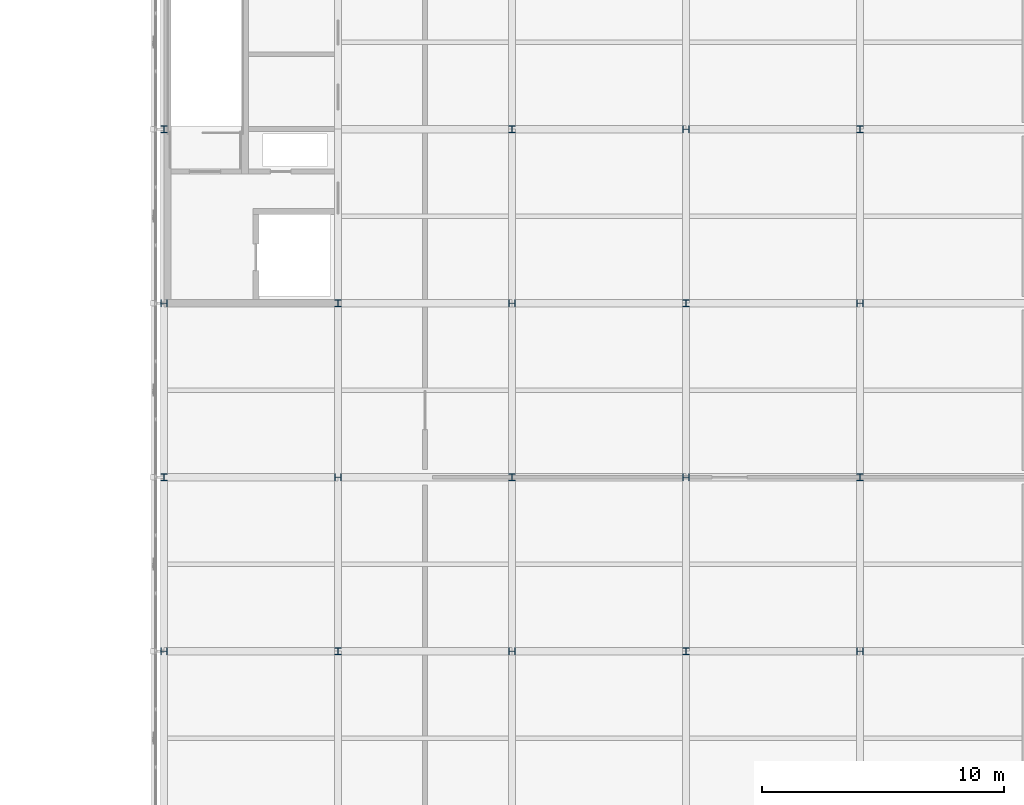
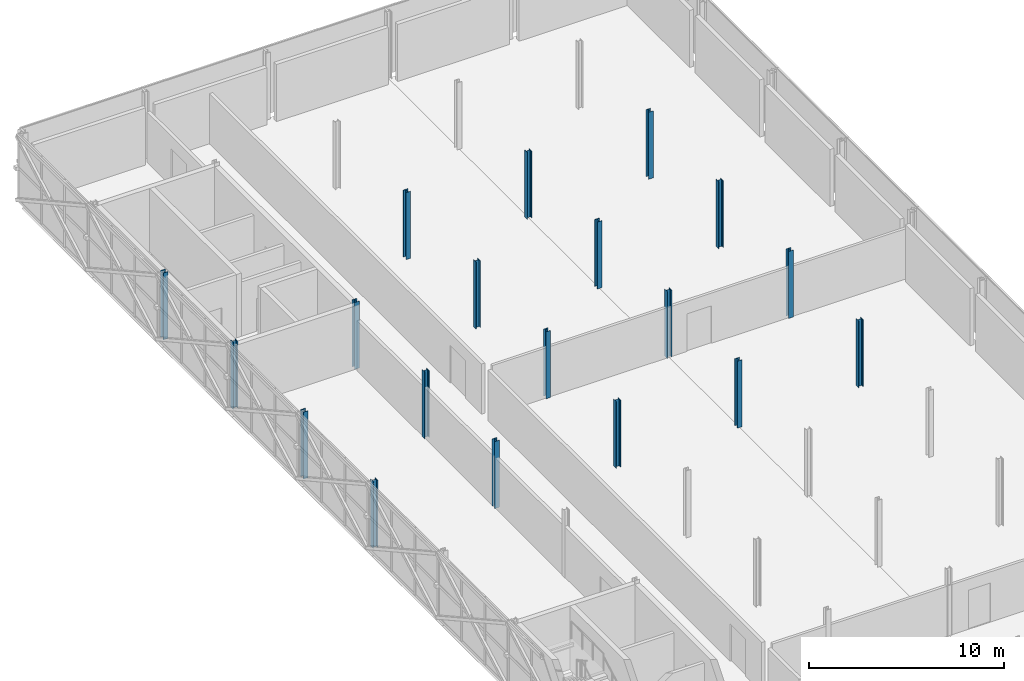
# One storey, part 22 of 146: 19 columns.
"""IFC4 building model written with IfcOpenShell, lengths in metres."""

from ifc_helpers import new_model, si_unit, direction, frame, origin, origin_2d, place, context, subcontext, project, spatial, i_section, extrude, material, material_profile, profile_set, type_object, element, save


model = new_model("IFC4")

# Units and contexts
model_context = context("Model", 3, precision=1e-05, world=origin(), true_north=direction((0.0, 1.0)))
body_context = subcontext(model_context, "Body", "Model", "MODEL_VIEW")
ifc_project = project(units=[si_unit("LENGTHUNIT", "METRE"), si_unit("AREAUNIT", "SQUARE_METRE"), si_unit("VOLUMEUNIT", "CUBIC_METRE"), si_unit("PLANEANGLEUNIT", "RADIAN"), si_unit("MASSUNIT", "GRAM", prefix="KILO")], contexts=[model_context])

# Site, building, storey
site_placement = place(None, origin())
site = spatial("IfcSite", under=ifc_project, at=site_placement, CompositionType="ELEMENT")
building_placement = place(site_placement, origin())
building = spatial("IfcBuilding", under=site, at=building_placement, Name="Zlatovets Crest Museum", CompositionType="ELEMENT")
storey_placement = place(building_placement, frame((0.0, 0.0, 4.5)))
storey = spatial("IfcBuildingStorey", under=building, at=storey_placement, Name="L01", CompositionType="ELEMENT", Elevation=4.5)

# Columns
ifc_material = material(Name="Structural steel S355J2", Category="steel")
ifc_material_profile = material_profile(ifc_material, i_section(OverallWidth=0.280029296875, OverallDepth=0.280029296875, WebThickness=0.010498046875, FlangeThickness=0.01806640625, FilletRadius=0.02392578125, at=origin_2d()), Name="HEB 280")
ifc_profile_set = profile_set([ifc_material_profile], Name="Structural steel S355J2")
column_type = type_object("IfcColumnType", Name="Col_C-17", PredefinedType="COLUMN", material=ifc_profile_set)
for number, where, z_axis, x_axis, name in (
    (1, (129.60009765625, 64.800048828125, 0.0), (0.0, 0.0, 1.0), (0.0, 1.0, 0.0), "V5 L01 Column (129.6, 64.8)"),
    (2, (129.60009765625, 72.0, 0.0), (0.0, 0.0, 1.0), (1.0, 0.0, 0.0), "V5 L01 Column (129.6, 72.0)"),
    (3, (129.60009765625, 79.199951171875, 0.0), (0.0, 0.0, 1.0), (0.0, 1.0, 0.0), "V5 L01 Column (129.6, 79.2)"),
    (4, (129.60009765625, 86.39990234375, 0.0), (0.0, 0.0, 1.0), (1.0, 0.0, 0.0), "V5 L01 Column (129.6, 86.4)"),
    (5, (136.800048828125, 64.800048828125, 0.0), (0.0, 0.0, 1.0), (1.0, 0.0, 0.0), "V5 L01 Column (136.8, 64.8)"),
    (6, (136.800048828125, 72.0, 0.0), (0.0, 0.0, 1.0), (0.0, 1.0, 0.0), "V5 L01 Column (136.8, 72.0)"),
    (7, (136.800048828125, 79.199951171875, 0.0), (0.0, 0.0, 1.0), (1.0, 0.0, 0.0), "V5 L01 Column (136.8, 79.2)"),
    (8, (144.0, 64.800048828125, 0.0), (0.0, 0.0, 1.0), (0.0, 1.0, 0.0), "V5 L01 Column (144.0, 64.8)"),
    (9, (144.0, 72.0, 0.0), (0.0, 0.0, 1.0), (1.0, 0.0, 0.0), "V5 L01 Column (144.0, 72.0)"),
    (10, (144.0, 79.199951171875, 0.0), (0.0, 0.0, 1.0), (0.0, 1.0, 0.0), "V5 L01 Column (144.0, 79.2)"),
    (11, (144.0, 86.39990234375, 0.0), (0.0, 0.0, 1.0), (1.0, 0.0, 0.0), "V5 L01 Column (144.0, 86.4)"),
    (12, (151.199951171875, 64.800048828125, 0.0), (0.0, 0.0, 1.0), (1.0, 0.0, 0.0), "V5 L01 Column (151.2, 64.8)"),
    (13, (151.199951171875, 72.0, 0.0), (0.0, 0.0, 1.0), (0.0, 1.0, 0.0), "V5 L01 Column (151.2, 72.0)"),
    (14, (151.199951171875, 79.199951171875, 0.0), (0.0, 0.0, 1.0), (1.0, 0.0, 0.0), "V5 L01 Column (151.2, 79.2)"),
    (15, (151.199951171875, 86.39990234375, 0.0), (0.0, 0.0, 1.0), (0.0, 1.0, 0.0), "V5 L01 Column (151.2, 86.4)"),
    (16, (158.39990234375, 64.800048828125, 0.0), (0.0, 0.0, 1.0), (0.0, 1.0, 0.0), "V5 L01 Column (158.4, 64.8)"),
    (17, (158.39990234375, 72.0, 0.0), (0.0, 0.0, 1.0), (1.0, 0.0, 0.0), "V5 L01 Column (158.4, 72.0)"),
    (18, (158.39990234375, 79.199951171875, 0.0), (0.0, 0.0, 1.0), (0.0, 1.0, 0.0), "V5 L01 Column (158.4, 79.2)"),
    (19, (158.39990234375, 86.39990234375, 0.0), (0.0, 0.0, 1.0), (1.0, 0.0, 0.0), "V5 L01 Column (158.4, 86.4)"),
):
    element("IfcColumn", number, at=place(storey_placement, frame(where, z_axis=z_axis, x_axis=x_axis)), inside=storey, type_object=column_type, Name=name, PredefinedType="COLUMN", context=body_context, shape_type="SweptSolid", body=[
        extrude(i_section(OverallWidth=0.280029296875, OverallDepth=0.280029296875, WebThickness=0.010498046875, FlangeThickness=0.01806640625, FilletRadius=0.02392578125, at=origin_2d()), origin(), (0.0, 0.0, 1.0), 4.199951171875),
    ])

save(model, "model.ifc")
